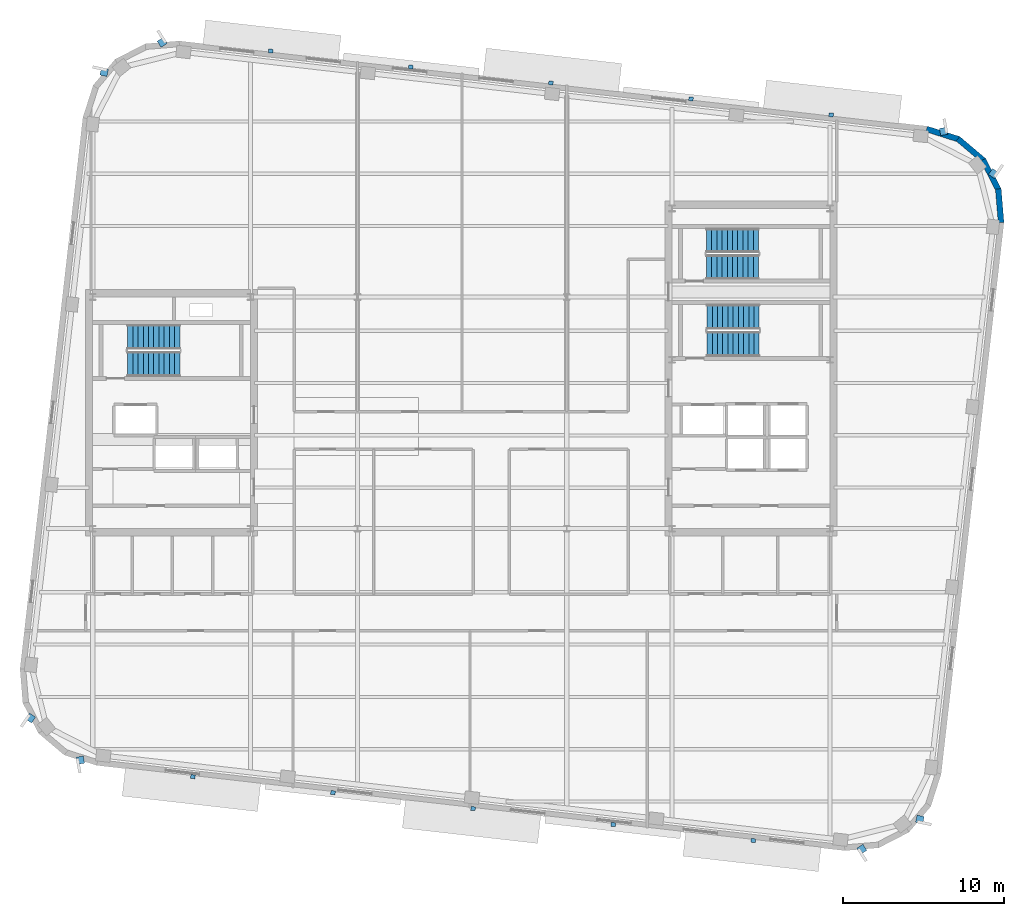
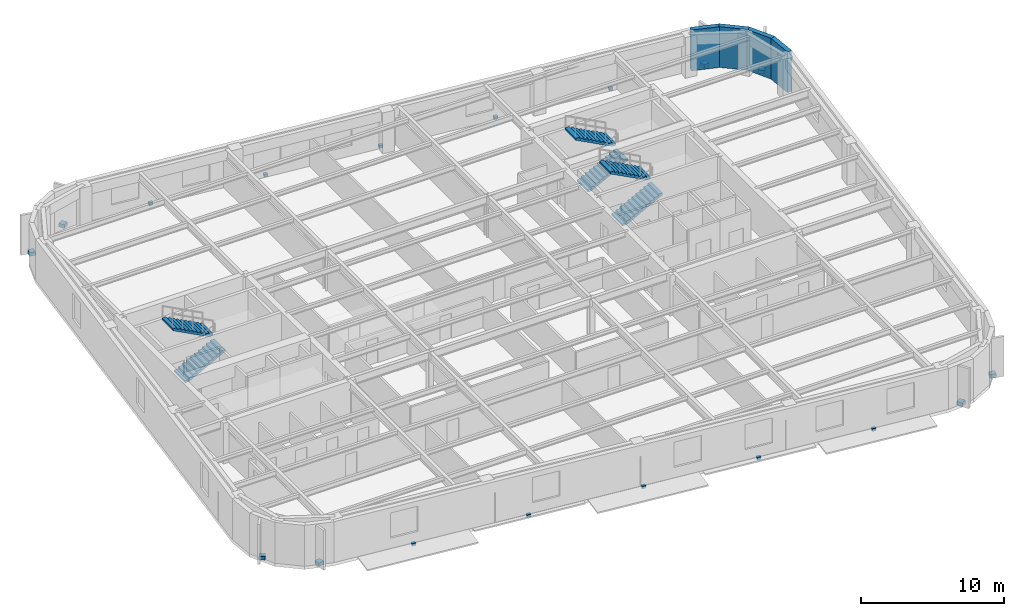
# One storey, part 9 of 14: 18 discrete accessories, 6 stair flights, 4 walls, 3 elements without a shape of their own.
"""IFC4 building model written with IfcOpenShell, lengths in metres."""

from ifc_helpers import new_model, si_unit, direction, frame, frame_2d, origin, origin_2d, place, context, subcontext, project, spatial, polyline, rectangle, outline, extrude, material, layer, layer_set, type_object, element, aggregate, save


model = new_model("IFC4")

# Units and contexts
model_context = context("Model", 3, precision=1e-05, world=origin(), true_north=direction((0.0, 1.0)))
body_context = subcontext(model_context, "Body", "Model", "MODEL_VIEW")
ifc_project = project(units=[si_unit("LENGTHUNIT", "METRE"), si_unit("AREAUNIT", "SQUARE_METRE"), si_unit("VOLUMEUNIT", "CUBIC_METRE"), si_unit("PLANEANGLEUNIT", "RADIAN"), si_unit("MASSUNIT", "GRAM", prefix="KILO")], contexts=[model_context])

# Site, building, storey
site_placement = place(None, origin())
site = spatial("IfcSite", under=ifc_project, at=site_placement, CompositionType="ELEMENT")
building_placement = place(site_placement, origin())
building = spatial("IfcBuilding", under=site, at=building_placement, Name="Kolvaren Arena Tower", CompositionType="ELEMENT")
storey_placement = place(building_placement, frame((0.0, 0.0, 224.699951171875)))
storey = spatial("IfcBuildingStorey", under=building, at=storey_placement, Name="L54", CompositionType="ELEMENT", Elevation=224.699951171875)

# Walls
ifc_material_1 = material(Name="Precast concrete C50/60", Category="concrete")
ifc_layer = layer(ifc_material_1, 0.360107421875)
ifc_layer_set = layer_set([ifc_layer], Name="Precast concrete C50/60")
wall_type = type_object("IfcWallType", Name="EXT-PIER2", PredefinedType="SOLIDWALL", material=ifc_layer_set)
wall_placement = place(storey_placement, frame((70.813720703125, 40.563720703125, 0.0), z_axis=(0.0, 0.0, 1.0), x_axis=(0.082853678144, -0.996561723135, 0.0)))
element("IfcWall", 1, at=wall_placement, inside=storey, type_object=wall_type, Name="Exterior Precast Masonry-Frame Wall (L54)", PredefinedType="SOLIDWALL", context=body_context, shape_type="SweptSolid", body=[
    extrude(rectangle(XDim=2.10693359375, YDim=0.360107421875, at=frame_2d((1.053466796875, 0.0))), origin(), (0.0, 0.0, 1.0), 3.47998046875),
])
for number, where, z_axis, x_axis, name in (
    (2, (69.868408203125, 42.369384765625, 0.0), (0.0, 0.0, 1.0), (0.457887222333, -0.889010287693, 0.0), "Exterior Precast Masonry-Frame Wall (L54)"),
    (3, (68.303955078125, 43.67578125, 0.0), (0.0, 0.0, 1.0), (0.763192878975, -0.646170743289, 0.0), "Exterior Precast Masonry-Frame Wall (L54)"),
    (4, (66.358642578125, 44.283935546875, 0.0), (0.0, 0.0, 1.0), (0.952403965565, -0.304838787518, 0.0), "Exterior Precast Masonry-Frame Wall (L54)"),
):
    element("IfcWall", number, at=place(storey_placement, frame(where, z_axis=z_axis, x_axis=x_axis)), inside=storey, type_object=wall_type, Name=name, PredefinedType="SOLIDWALL", context=body_context, shape_type="SweptSolid", body=[
        extrude(rectangle(XDim=2.107177734375, YDim=0.360107421875, at=frame_2d((1.0537109375, 0.0))), origin(), (0.0, 0.0, 1.0), 3.47998046875),
    ])

# Stair, stair flights
ifc_material_2 = material(Name="Concrete 45 MPa", Category="concrete")
stair_type_1 = type_object("IfcStairType", Name="STAIR-CORE-150", PredefinedType="HALF_TURN_STAIR", material=ifc_material_2)
stair_1_placement = place(storey_placement, origin())
stair_1 = element("IfcStair", 5, at=stair_1_placement, inside=storey, type_object=stair_type_1, Name="L54 ST-E2", PredefinedType="HALF_TURN_STAIR")
stair_flight_type_1 = type_object("IfcStairFlightType", Name="FLT-150", PredefinedType="STRAIGHT", material=ifc_material_2)
stair_flight_1_placement = place(storey_placement, frame((52.679931640625, 35.699951171875, 0.0), z_axis=(0.0, 0.0, 1.0), x_axis=(1.0, 0.0, 0.0)))
stair_flight_1 = element("IfcStairFlight", 6, at=stair_flight_1_placement, type_object=stair_flight_type_1, Name="ST-E2 flight 1", NumberOfRisers=11, NumberOfTreads=10, PredefinedType="STRAIGHT", RiserHeight=0.170454545, TreadLength=0.324, context=body_context, shape_type="SweptSolid", body=[
    extrude(outline(polyline([(0.0, 0.0), (0.0, 0.17041015625), (0.323974609375, 0.17041015625), (0.323974609375, 0.3408203125), (0.64794921875, 0.3408203125), (0.64794921875, 0.511474609375), (0.971923828125, 0.511474609375), (0.971923828125, 0.681884765625), (1.2958984375, 0.681884765625), (1.2958984375, 0.852294921875), (1.6201171875, 0.852294921875), (1.6201171875, 1.022705078125), (1.944091796875, 1.022705078125), (1.944091796875, 1.193115234375), (2.26806640625, 1.193115234375), (2.26806640625, 1.363525390625), (2.592041015625, 1.363525390625), (2.592041015625, 1.5341796875), (2.916015625, 1.5341796875), (2.916015625, 1.70458984375), (3.239990234375, 1.70458984375), (3.239990234375, 1.875), (3.239990234375, 1.53515625), (0.322021484375, 0.0), (0.0, 0.0)])), frame((0.0, 0.75, 0.0), z_axis=(0.0, -1.0, 0.0), x_axis=(1.0, 0.0, 0.0)), (0.0, 0.0, 1.0), 1.5),
])
stair_flight_2_placement = place(storey_placement, frame((55.919921875, 37.35009765625, 1.875), z_axis=(0.0, 0.0, 1.0), x_axis=(-1.0, 0.0, 0.0)))
stair_flight_2 = element("IfcStairFlight", 7, at=stair_flight_2_placement, type_object=stair_flight_type_1, Name="ST-E2 flight 2", NumberOfRisers=11, NumberOfTreads=10, PredefinedType="STRAIGHT", RiserHeight=0.170454545, TreadLength=0.324, context=body_context, shape_type="SweptSolid", body=[
    extrude(outline(polyline([(0.0, 0.0), (0.0, 0.17041015625), (0.323974609375, 0.17041015625), (0.323974609375, 0.3408203125), (0.64794921875, 0.3408203125), (0.64794921875, 0.511474609375), (0.971923828125, 0.511474609375), (0.971923828125, 0.681884765625), (1.2958984375, 0.681884765625), (1.2958984375, 0.852294921875), (1.6201171875, 0.852294921875), (1.6201171875, 1.022705078125), (1.944091796875, 1.022705078125), (1.944091796875, 1.193115234375), (2.26806640625, 1.193115234375), (2.26806640625, 1.363525390625), (2.592041015625, 1.363525390625), (2.592041015625, 1.5341796875), (2.916015625, 1.5341796875), (2.916015625, 1.70458984375), (3.239990234375, 1.70458984375), (3.239990234375, 1.875), (3.239990234375, 1.53515625), (0.322021484375, 0.0), (0.0, 0.0)])), frame((0.0, 0.75, 0.0), z_axis=(0.0, -1.0, 0.0), x_axis=(1.0, 0.0, 0.0)), (0.0, 0.0, 1.0), 1.5),
])
aggregate(stair_1, [stair_flight_1, stair_flight_2])

stair_type_2 = type_object("IfcStairType", Name="STAIR-CORE-165", PredefinedType="HALF_TURN_STAIR", material=ifc_material_2)
stair_2_placement = place(storey_placement, origin())
stair_2 = element("IfcStair", 8, at=stair_2_placement, inside=storey, type_object=stair_type_2, Name="L54 ST-W1", PredefinedType="HALF_TURN_STAIR")
stair_flight_type_2 = type_object("IfcStairFlightType", Name="FLT-165", PredefinedType="STRAIGHT", material=ifc_material_2)
stair_flight_3_placement = place(storey_placement, frame((16.719970703125, 29.669921875, 0.0), z_axis=(0.0, 0.0, 1.0), x_axis=(1.0, 0.0, 0.0)))
stair_flight_3 = element("IfcStairFlight", 9, at=stair_flight_3_placement, type_object=stair_flight_type_2, Name="ST-W1 flight 1", NumberOfRisers=11, NumberOfTreads=10, PredefinedType="STRAIGHT", RiserHeight=0.170454545, TreadLength=0.324, context=body_context, shape_type="SweptSolid", body=[
    extrude(outline(polyline([(0.0, 0.0), (0.0, 0.17041015625), (0.323974609375, 0.17041015625), (0.323974609375, 0.3408203125), (0.64794921875, 0.3408203125), (0.64794921875, 0.511474609375), (0.971923828125, 0.511474609375), (0.971923828125, 0.681884765625), (1.2958984375, 0.681884765625), (1.2958984375, 0.852294921875), (1.6201171875, 0.852294921875), (1.6201171875, 1.022705078125), (1.944091796875, 1.022705078125), (1.944091796875, 1.193115234375), (2.26806640625, 1.193115234375), (2.26806640625, 1.363525390625), (2.592041015625, 1.363525390625), (2.592041015625, 1.5341796875), (2.916015625, 1.5341796875), (2.916015625, 1.70458984375), (3.239990234375, 1.70458984375), (3.239990234375, 1.875), (3.239990234375, 1.53515625), (0.322021484375, 0.0), (0.0, 0.0)])), frame((0.0, 0.77001953125, 0.0), z_axis=(0.0, -1.0, 0.0), x_axis=(1.0, 0.0, 0.0)), (0.0, 0.0, 1.0), 1.5400390625),
])
stair_flight_4_placement = place(storey_placement, frame((19.9599609375, 31.360107421875, 1.875), z_axis=(0.0, 0.0, 1.0), x_axis=(-1.0, 0.0, 0.0)))
stair_flight_4 = element("IfcStairFlight", 10, at=stair_flight_4_placement, type_object=stair_flight_type_2, Name="ST-W1 flight 2", NumberOfRisers=11, NumberOfTreads=10, PredefinedType="STRAIGHT", RiserHeight=0.170454545, TreadLength=0.324, context=body_context, shape_type="SweptSolid", body=[
    extrude(outline(polyline([(0.0, 0.0), (0.0, 0.17041015625), (0.323974609375, 0.17041015625), (0.323974609375, 0.3408203125), (0.64794921875, 0.3408203125), (0.64794921875, 0.511474609375), (0.971923828125, 0.511474609375), (0.971923828125, 0.681884765625), (1.2958984375, 0.681884765625), (1.2958984375, 0.852294921875), (1.6201171875, 0.852294921875), (1.6201171875, 1.022705078125), (1.944091796875, 1.022705078125), (1.944091796875, 1.193115234375), (2.26806640625, 1.193115234375), (2.26806640625, 1.363525390625), (2.592041015625, 1.363525390625), (2.592041015625, 1.5341796875), (2.916015625, 1.5341796875), (2.916015625, 1.70458984375), (3.239990234375, 1.70458984375), (3.239990234375, 1.875), (3.239990234375, 1.53515625), (0.322021484375, 0.0), (0.0, 0.0)])), frame((0.0, 0.77001953125, 0.0), z_axis=(0.0, -1.0, 0.0), x_axis=(1.0, 0.0, 0.0)), (0.0, 0.0, 1.0), 1.5400390625),
])
aggregate(stair_2, [stair_flight_3, stair_flight_4])

stair_3_placement = place(storey_placement, origin())
stair_3 = element("IfcStair", 11, at=stair_3_placement, inside=storey, type_object=stair_type_2, Name="L54 ST-E1", PredefinedType="HALF_TURN_STAIR")
stair_flight_5_placement = place(storey_placement, frame((52.719970703125, 30.919921875, 0.0), z_axis=(0.0, 0.0, 1.0), x_axis=(1.0, 0.0, 0.0)))
stair_flight_5 = element("IfcStairFlight", 12, at=stair_flight_5_placement, type_object=stair_flight_type_2, Name="ST-E1 flight 1", NumberOfRisers=11, NumberOfTreads=10, PredefinedType="STRAIGHT", RiserHeight=0.170454545, TreadLength=0.324, context=body_context, shape_type="SweptSolid", body=[
    extrude(outline(polyline([(0.0, 0.0), (0.0, 0.17041015625), (0.323974609375, 0.17041015625), (0.323974609375, 0.3408203125), (0.64794921875, 0.3408203125), (0.64794921875, 0.511474609375), (0.971923828125, 0.511474609375), (0.971923828125, 0.681884765625), (1.2958984375, 0.681884765625), (1.2958984375, 0.852294921875), (1.6201171875, 0.852294921875), (1.6201171875, 1.022705078125), (1.944091796875, 1.022705078125), (1.944091796875, 1.193115234375), (2.26806640625, 1.193115234375), (2.26806640625, 1.363525390625), (2.592041015625, 1.363525390625), (2.592041015625, 1.5341796875), (2.916015625, 1.5341796875), (2.916015625, 1.70458984375), (3.239990234375, 1.70458984375), (3.239990234375, 1.875), (3.239990234375, 1.53515625), (0.322021484375, 0.0), (0.0, 0.0)])), frame((0.0, 0.77001953125, 0.0), z_axis=(0.0, -1.0, 0.0), x_axis=(1.0, 0.0, 0.0)), (0.0, 0.0, 1.0), 1.5400390625),
])
stair_flight_6_placement = place(storey_placement, frame((55.9599609375, 32.610107421875, 1.875), z_axis=(0.0, 0.0, 1.0), x_axis=(-1.0, 0.0, 0.0)))
stair_flight_6 = element("IfcStairFlight", 13, at=stair_flight_6_placement, type_object=stair_flight_type_2, Name="ST-E1 flight 2", NumberOfRisers=11, NumberOfTreads=10, PredefinedType="STRAIGHT", RiserHeight=0.170454545, TreadLength=0.324, context=body_context, shape_type="SweptSolid", body=[
    extrude(outline(polyline([(0.0, 0.0), (0.0, 0.17041015625), (0.323974609375, 0.17041015625), (0.323974609375, 0.3408203125), (0.64794921875, 0.3408203125), (0.64794921875, 0.511474609375), (0.971923828125, 0.511474609375), (0.971923828125, 0.681884765625), (1.2958984375, 0.681884765625), (1.2958984375, 0.852294921875), (1.6201171875, 0.852294921875), (1.6201171875, 1.022705078125), (1.944091796875, 1.022705078125), (1.944091796875, 1.193115234375), (2.26806640625, 1.193115234375), (2.26806640625, 1.363525390625), (2.592041015625, 1.363525390625), (2.592041015625, 1.5341796875), (2.916015625, 1.5341796875), (2.916015625, 1.70458984375), (3.239990234375, 1.70458984375), (3.239990234375, 1.875), (3.239990234375, 1.53515625), (0.322021484375, 0.0), (0.0, 0.0)])), frame((0.0, 0.77001953125, 0.0), z_axis=(0.0, -1.0, 0.0), x_axis=(1.0, 0.0, 0.0)), (0.0, 0.0, 1.0), 1.5400390625),
])
aggregate(stair_3, [stair_flight_5, stair_flight_6])

# Discrete accessories
ifc_material_3 = material(Name="Stainless steel facade support bracket", Category="steel")
discrete_accessory_type = type_object("IfcDiscreteAccessoryType", Name="ACC-BRKT-1", PredefinedType="BRACKET", material=ifc_material_3)
for number, where, z_axis, x_axis, name in (
    (14, (62.33544921875, -0.46630859375, 0.02001953125), (0.0, 0.0, 1.0), (0.540981810797, -0.84103429204, 0.0), "Corner Fin Anchor Bracket (L54)"),
    (15, (65.939208984375, 1.389892578125, 0.02001953125), (0.0, 0.0, 1.0), (0.977234439221, -0.21216232182, 0.0), "Corner Fin Anchor Bracket (L54)"),
    (16, (70.5107421875, 41.51513671875, 0.02001953125), (0.0, 0.0, 1.0), (0.569965213199, 0.821668823641, 0.0), "Corner Fin Anchor Bracket (L54)"),
    (17, (67.4169921875, 44.13427734375, 0.02001953125), (0.0, 0.0, 1.0), (-0.177965872603, 0.984036659982, 0.0), "Corner Fin Anchor Bracket (L54)"),
):
    element("IfcDiscreteAccessory", number, at=place(storey_placement, frame(where, z_axis=z_axis, x_axis=x_axis)), inside=storey, type_object=discrete_accessory_type, Name=name, PredefinedType="BRACKET", context=body_context, shape_type="SweptSolid", body=[
        extrude(rectangle(XDim=0.449951171875, YDim=0.449951171875, at=origin_2d()), origin(), (0.0, 0.0, 1.0), 0.300048828125),
    ])
for number, where, z_axis, x_axis, name in (
    (18, (25.60986328125, 49.12451171875, -0.18017578125), (0.0, 0.0, 1.0), (0.993571658098, -0.113204947878, 0.0), "Sunshade Support Bracket (L54)"),
    (19, (34.313720703125, 48.1328125, -0.18017578125), (0.0, 0.0, 1.0), (0.993571658098, -0.113204947878, 0.0), "Sunshade Support Bracket (L54)"),
    (20, (43.017333984375, 47.141357421875, -0.18017578125), (0.0, 0.0, 1.0), (0.993571658098, -0.113204947878, 0.0), "Sunshade Support Bracket (L54)"),
    (21, (51.720947265625, 46.149658203125, -0.18017578125), (0.0, 0.0, 1.0), (0.993571658098, -0.113204947878, 0.0), "Sunshade Support Bracket (L54)"),
    (22, (60.424560546875, 45.157958984375, -0.18017578125), (0.0, 0.0, 1.0), (0.993571658098, -0.113204947878, 0.0), "Sunshade Support Bracket (L54)"),
):
    element("IfcDiscreteAccessory", number, at=place(storey_placement, frame(where, z_axis=z_axis, x_axis=x_axis)), inside=storey, type_object=discrete_accessory_type, Name=name, PredefinedType="BRACKET", context=body_context, shape_type="SweptSolid", body=[
        extrude(rectangle(XDim=0.280029296875, YDim=0.239990234375, at=origin_2d()), origin(), (0.0, 0.0, 1.0), 0.239990234375),
    ])
for number, where, z_axis, x_axis, name in (
    (23, (18.864501953125, 49.666259765625, 0.02001953125), (0.0, 0.0, 1.0), (-0.540981810797, 0.84103429204, 0.0), "Corner Fin Anchor Bracket (L54)"),
    (24, (15.260986328125, 47.81005859375, 0.02001953125), (0.0, 0.0, 1.0), (-0.977234439221, 0.21216232182, 0.0), "Corner Fin Anchor Bracket (L54)"),
    (25, (10.689208984375, 7.684814453125, 0.02001953125), (0.0, 0.0, 1.0), (-0.569965213199, -0.821668823641, 0.0), "Corner Fin Anchor Bracket (L54)"),
    (26, (13.782958984375, 5.065673828125, 0.02001953125), (0.0, 0.0, 1.0), (0.177965872603, -0.984036659982, 0.0), "Corner Fin Anchor Bracket (L54)"),
):
    element("IfcDiscreteAccessory", number, at=place(storey_placement, frame(where, z_axis=z_axis, x_axis=x_axis)), inside=storey, type_object=discrete_accessory_type, Name=name, PredefinedType="BRACKET", context=body_context, shape_type="SweptSolid", body=[
        extrude(rectangle(XDim=0.449951171875, YDim=0.449951171875, at=origin_2d()), origin(), (0.0, 0.0, 1.0), 0.300048828125),
    ])
for number, where, z_axis, x_axis, name in (
    (27, (55.590087890625, 0.075439453125, -0.18017578125), (0.0, 0.0, 1.0), (-0.993571658098, 0.113204947878, 0.0), "Sunshade Support Bracket (L54)"),
    (28, (46.886474609375, 1.067138671875, -0.18017578125), (0.0, 0.0, 1.0), (-0.993571658098, 0.113204947878, 0.0), "Sunshade Support Bracket (L54)"),
    (29, (38.1826171875, 2.05859375, -0.18017578125), (0.0, 0.0, 1.0), (-0.993571658098, 0.113204947878, 0.0), "Sunshade Support Bracket (L54)"),
    (30, (29.47900390625, 3.05029296875, -0.18017578125), (0.0, 0.0, 1.0), (-0.993571658098, 0.113204947878, 0.0), "Sunshade Support Bracket (L54)"),
    (31, (20.775390625, 4.0419921875, -0.18017578125), (0.0, 0.0, 1.0), (-0.993571658098, 0.113204947878, 0.0), "Sunshade Support Bracket (L54)"),
):
    element("IfcDiscreteAccessory", number, at=place(storey_placement, frame(where, z_axis=z_axis, x_axis=x_axis)), inside=storey, type_object=discrete_accessory_type, Name=name, PredefinedType="BRACKET", context=body_context, shape_type="SweptSolid", body=[
        extrude(rectangle(XDim=0.280029296875, YDim=0.239990234375, at=origin_2d()), origin(), (0.0, 0.0, 1.0), 0.239990234375),
    ])

save(model, "model.ifc")
